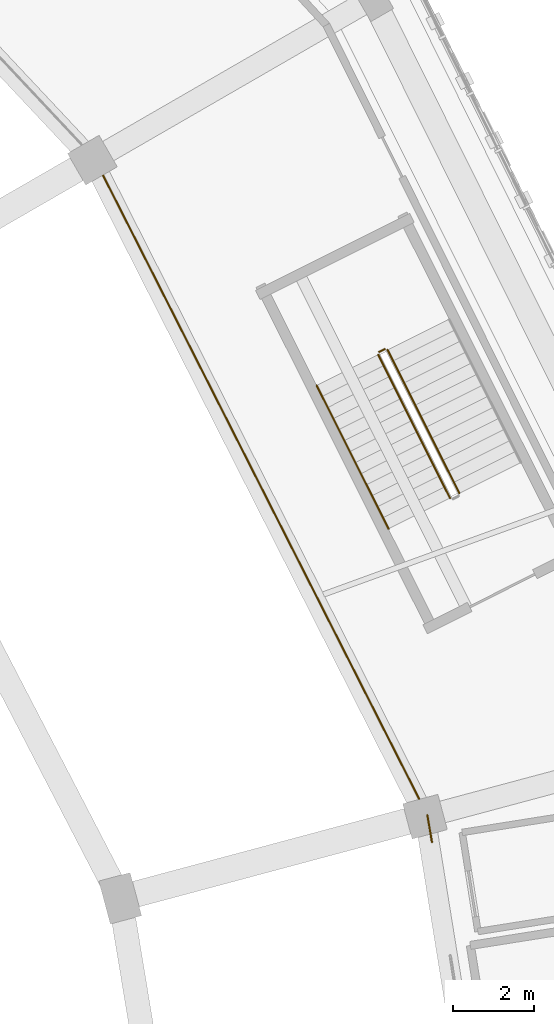
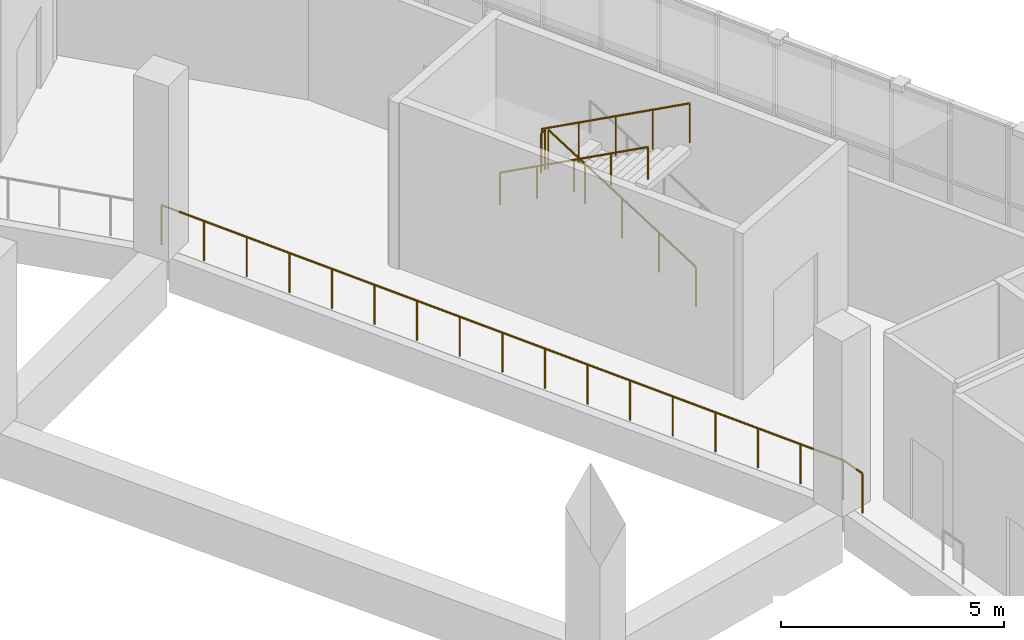
# One storey, part 94 of 108: 6 railings.
"""IFC4 building model written with IfcOpenShell, lengths in metres."""

import ifcopenshell
import ifcopenshell.guid

model = None  # the IFC model being written
_history = None  # IfcOwnerHistory: only IFC2X3 demands one
_inside = {}  # id of a spatial element -> (the spatial element, [elements in it])
_under = {}  # id of a project, library or spatial element -> (it, [spatial elements below it])
_declared = {}  # id of a project -> (the project, [libraries it declares])
_typed = {}  # id of a type object -> (the type object, [elements of that type])
_made_of = {}  # id of a material, layer set ... -> (it, [elements and type objects made of it])


def new_model(schema):
    """Start an empty IFC model of exactly this schema.

    Asked for "IFC4X3", IfcOpenShell would pick the latest addendum, in which some entities
    have other attributes; the version numbers below select the first issue.
    IFC2X3 requires an IfcOwnerHistory on every rooted entity: one is made here for all.
    """
    global model, _history
    if schema == "IFC4X3":
        model = ifcopenshell.file(schema_version=(4, 3, 0, 0))
    else:
        model = ifcopenshell.file(schema=schema)
    _inside.clear()
    _under.clear()
    _declared.clear()
    _typed.clear()
    _made_of.clear()
    _history = None
    if model.schema == "IFC2X3":
        org = make("IfcOrganization", Name="unknown")
        user = make(
            "IfcPersonAndOrganization",
            ThePerson=make("IfcPerson", FamilyName="unknown"),
            TheOrganization=org,
        )
        app = make(
            "IfcApplication",
            ApplicationDeveloper=org,
            Version="unknown",
            ApplicationFullName="unknown",
            ApplicationIdentifier="unknown",
        )
        _history = make(
            "IfcOwnerHistory",
            OwningUser=user,
            OwningApplication=app,
            ChangeAction="ADDED",
            CreationDate=0,
        )
    return model


def make(cls, **values):
    """One entity of the class cls with the attributes given. An attribute that is None is left unset."""
    return model.create_entity(
        cls, **{name: value for name, value in values.items() if value is not None}
    )


def rooted(cls, **values):
    """An entity with a GlobalId (a new one), such as an element, a storey or a relation."""
    return make(cls, GlobalId=ifcopenshell.guid.new(), OwnerHistory=_history, **values)


def si_unit(unit_type, name, prefix=None):
    """IfcSIUnit, for example si_unit("LENGTHUNIT", "METRE", prefix="MILLI")."""
    return make("IfcSIUnit", UnitType=unit_type, Prefix=prefix, Name=name)


def assignment(units):
    """IfcUnitAssignment: the units of a project."""
    return None if units is None else make("IfcUnitAssignment", Units=units)


def point(xyz):
    """IfcCartesianPoint."""
    return None if xyz is None else make("IfcCartesianPoint", Coordinates=xyz)


def direction(xyz):
    """IfcDirection."""
    return None if xyz is None else make("IfcDirection", DirectionRatios=xyz)


def frame(location, z_axis=None, x_axis=None):
    """IfcAxis2Placement3D, a coordinate frame: its origin and axes. An axis left out is left unset."""
    return make(
        "IfcAxis2Placement3D",
        Location=point(location),
        Axis=direction(z_axis),
        RefDirection=direction(x_axis),
    )


def frame_2d(location, x_axis=None):
    """IfcAxis2Placement2D, a coordinate frame in the plane: its origin and x axis."""
    return make(
        "IfcAxis2Placement2D", Location=point(location), RefDirection=direction(x_axis)
    )


def origin():
    """The frame at (0, 0, 0) with its axes left unset."""
    return frame((0.0, 0.0, 0.0))


def origin_2d():
    """The frame at (0, 0) in the plane with its x axis left unset."""
    return frame_2d((0.0, 0.0))


def place(relative_to, where):
    """IfcLocalPlacement: puts the frame where relative to a parent placement (None: the world)."""
    return make(
        "IfcLocalPlacement", PlacementRelTo=relative_to, RelativePlacement=where
    )


def context(
    kind, dimensions, precision=None, world=None, true_north=None, identifier=None
):
    """IfcGeometricRepresentationContext, for example the 3D "Model" context."""
    return make(
        "IfcGeometricRepresentationContext",
        ContextIdentifier=identifier,
        ContextType=kind,
        CoordinateSpaceDimension=dimensions,
        Precision=precision,
        WorldCoordinateSystem=world,
        TrueNorth=true_north,
    )


def subcontext(parent, identifier, kind, view, scale=None):
    """IfcGeometricRepresentationSubContext, for example "Body" below "Model"."""
    return make(
        "IfcGeometricRepresentationSubContext",
        ContextIdentifier=identifier,
        ContextType=kind,
        ParentContext=parent,
        TargetScale=scale,
        TargetView=view,
    )


def project(units=None, contexts=None):
    """IfcProject with its units and contexts."""
    return rooted(
        "IfcProject",
        Name="project",
        RepresentationContexts=contexts,
        UnitsInContext=assignment(units),
    )


def spatial(cls, under=None, at=None, **own):
    """A site, building, storey or space (cls), placed at a placement, below another one or the project."""
    s = rooted(cls, ObjectPlacement=at, **own)
    if under is not None:
        _under.setdefault(under.id(), (under, []))[1].append(s)
    return s


def profile(cls, at=None, kind="AREA", **sizes):
    """A parametric profile (cls). Its sizes go by their IFC names, for example OverallWidth=200.0."""
    return make(cls, ProfileType=kind, Position=at, **sizes)


def circle(**sizes):
    """IfcCircleProfileDef."""
    return profile("IfcCircleProfileDef", **sizes)


def extrude(swept, where, along, depth):
    """IfcExtrudedAreaSolid: the profile swept, set in the frame where, extruded along a direction by depth."""
    return make(
        "IfcExtrudedAreaSolid",
        SweptArea=swept,
        Position=where,
        ExtrudedDirection=direction(along),
        Depth=depth,
    )


def shape(context_of_items, identifier, shape_type, items):
    """IfcShapeRepresentation: the items that make up one representation, for example the "Body"."""
    return make(
        "IfcShapeRepresentation",
        ContextOfItems=context_of_items,
        RepresentationIdentifier=identifier,
        RepresentationType=shape_type,
        Items=items,
    )


def material(Name=None, Category=None):
    """IfcMaterial."""
    return make("IfcMaterial", Name=Name, Category=Category)


def made_of(thing, what):
    """Note that an element or type object is made of a material, layer set ...; save() writes the relation."""
    if what is not None:
        _made_of.setdefault(what.id(), (what, []))[1].append(thing)
    return thing


def type_object(cls, material=None, **own):
    """A type object (cls), such as IfcWallType, which elements share."""
    return made_of(rooted(cls, **own), material)


def element(
    cls,
    number,
    at=None,
    inside=None,
    cuts=None,
    type_object=None,
    material=None,
    context=None,
    identifier="Body",
    shape_type=None,
    held_by="IfcProductDefinitionShape",
    body=None,
    shapes=None,
    **own,
):
    """One element of the class cls, such as IfcWall. Its Tag is "e" and its number.

    at: its placement. inside: the storey or other place that contains it. cuts: it is an
    opening in that element (IfcRelVoidsElement). A single representation is given by context,
    identifier, shape_type and body (its items); several are given by shapes. held_by: the class
    of the entity that holds the representations. save() writes the other relations.
    """
    e = rooted(cls, Tag="e%d" % number, ObjectPlacement=at, **own)
    if body is not None:
        shapes = [shape(context, identifier, shape_type, body)]
    if shapes is not None:
        e.Representation = make(held_by, Representations=shapes)
    if inside is not None:
        _inside.setdefault(inside.id(), (inside, []))[1].append(e)
    if cuts is not None:
        rooted(
            "IfcRelVoidsElement", RelatingBuildingElement=cuts, RelatedOpeningElement=e
        )
    if type_object is not None:
        _typed.setdefault(type_object.id(), (type_object, []))[1].append(e)
    return made_of(e, material)


def aggregate(whole, parts):
    """IfcRelAggregates: a whole, such as a stair, and the parts it consists of."""
    return rooted("IfcRelAggregates", RelatingObject=whole, RelatedObjects=parts)


def save(model, path):
    """Write the relations noted so far, then the file.

    IfcRelAggregates (storeys below a building ...), IfcRelContainedInSpatialStructure (elements
    in a storey), IfcRelDefinesByType, IfcRelAssociatesMaterial and IfcRelDeclares: one each for
    every whole, place, type object, material and project.
    """
    for whole, parts in _under.values():
        aggregate(whole, parts)
    for where, things in _inside.values():
        rooted(
            "IfcRelContainedInSpatialStructure",
            RelatedElements=things,
            RelatingStructure=where,
        )
    for kind, things in _typed.values():
        rooted("IfcRelDefinesByType", RelatedObjects=things, RelatingType=kind)
    for what, things in _made_of.values():
        rooted("IfcRelAssociatesMaterial", RelatedObjects=things, RelatingMaterial=what)
    for by, libraries in _declared.values():
        rooted("IfcRelDeclares", RelatingContext=by, RelatedDefinitions=libraries)
    model.write(path)


model = new_model("IFC4")

# Units and contexts
model_context = context("Model", 3, precision=1e-05, world=origin(), true_north=direction((0.0, 1.0)))
body_context = subcontext(model_context, "Body", "Model", "MODEL_VIEW")
ifc_project = project(units=[si_unit("LENGTHUNIT", "METRE"), si_unit("AREAUNIT", "SQUARE_METRE"), si_unit("VOLUMEUNIT", "CUBIC_METRE"), si_unit("PLANEANGLEUNIT", "RADIAN"), si_unit("MASSUNIT", "GRAM", prefix="KILO")], contexts=[model_context])

# Site, building, storey
site_placement = place(None, origin())
site = spatial("IfcSite", under=ifc_project, at=site_placement, CompositionType="ELEMENT")
building_placement = place(site_placement, origin())
building = spatial("IfcBuilding", under=site, at=building_placement, Name="Zevraka Park Crest Stadium", CompositionType="ELEMENT")
storey_placement = place(building_placement, frame((0.0, 0.0, 19.800048828125)))
storey = spatial("IfcBuildingStorey", under=building, at=storey_placement, Name="L04", CompositionType="ELEMENT", Elevation=19.800048828125)

# Railings
ifc_material_1 = material(Name="Galvanised and bronze-finished steel balustrade", Category="steel")
railing_type_1 = type_object("IfcRailingType", Name="GR01", PredefinedType="GUARDRAIL", material=ifc_material_1)
railing_1_placement = place(storey_placement, frame((191.66796875, 108.79296875, 0.0)))
element("IfcRailing", 1, at=railing_1_placement, inside=storey, type_object=railing_type_1, Name="Deck Edge Protection Guardrail GR01 L04-37", PredefinedType="GUARDRAIL", context=body_context, shape_type="SweptSolid", body=[
    extrude(circle(Radius=0.02392578125, at=origin_2d()), frame((0.0, 0.0, 1.076171875), z_axis=(-0.168733154705, 0.985661768815, 0.0), x_axis=(-0.985661768815, -0.168733154705, 0.0)), (0.0, 0.0, 1.0), 0.67578125),
    extrude(circle(Radius=0.02099609375, at=origin_2d()), origin(), (0.0, 0.0, 1.0), 1.052001953125),
    extrude(circle(Radius=0.02099609375, at=origin_2d()), frame((-0.114013671875, 0.666015625, 0.0)), (0.0, 0.0, 1.0), 1.052001953125),
])
railing_2_placement = place(storey_placement, frame((191.553955078125, 109.458984375, 0.0)))
element("IfcRailing", 2, at=railing_2_placement, inside=storey, type_object=railing_type_1, Name="Deck Edge Protection Guardrail GR01 L04-38", PredefinedType="GUARDRAIL", context=body_context, shape_type="SweptSolid", body=[
    extrude(circle(Radius=0.02392578125, at=origin_2d()), frame((0.0, 0.0, 1.076171875), z_axis=(-0.452139714664, 0.891947127594, 0.0), x_axis=(-0.891947127594, -0.452139714664, 0.0)), (0.0, 0.0, 1.0), 18.213134765625),
    extrude(circle(Radius=0.02099609375, at=origin_2d()), origin(), (0.0, 0.0, 1.0), 1.052001953125),
    extrude(circle(Radius=0.02099609375, at=origin_2d()), frame((-0.5146484375, 1.015380859375, 0.0)), (0.0, 0.0, 1.0), 1.052001953125),
    extrude(circle(Radius=0.02099609375, at=origin_2d()), frame((-1.029296875, 2.03076171875, 0.0)), (0.0, 0.0, 1.0), 1.052001953125),
    extrude(circle(Radius=0.02099609375, at=origin_2d()), frame((-1.5439453125, 3.0458984375, 0.0)), (0.0, 0.0, 1.0), 1.052001953125),
    extrude(circle(Radius=0.02099609375, at=origin_2d()), frame((-2.05859375, 4.061279296875, 0.0)), (0.0, 0.0, 1.0), 1.052001953125),
    extrude(circle(Radius=0.02099609375, at=origin_2d()), frame((-2.573486328125, 5.07666015625, 0.0)), (0.0, 0.0, 1.0), 1.052001953125),
    extrude(circle(Radius=0.02099609375, at=origin_2d()), frame((-3.088134765625, 6.091796875, 0.0)), (0.0, 0.0, 1.0), 1.052001953125),
    extrude(circle(Radius=0.02099609375, at=origin_2d()), frame((-3.602783203125, 7.107177734375, 0.0)), (0.0, 0.0, 1.0), 1.052001953125),
    extrude(circle(Radius=0.02099609375, at=origin_2d()), frame((-4.117431640625, 8.12255859375, 0.0)), (0.0, 0.0, 1.0), 1.052001953125),
    extrude(circle(Radius=0.02099609375, at=origin_2d()), frame((-4.632080078125, 9.137939453125, 0.0)), (0.0, 0.0, 1.0), 1.052001953125),
    extrude(circle(Radius=0.02099609375, at=origin_2d()), frame((-5.146728515625, 10.1533203125, 0.0)), (0.0, 0.0, 1.0), 1.052001953125),
    extrude(circle(Radius=0.02099609375, at=origin_2d()), frame((-5.661376953125, 11.16845703125, 0.0)), (0.0, 0.0, 1.0), 1.052001953125),
    extrude(circle(Radius=0.02099609375, at=origin_2d()), frame((-6.17626953125, 12.183837890625, 0.0)), (0.0, 0.0, 1.0), 1.052001953125),
    extrude(circle(Radius=0.02099609375, at=origin_2d()), frame((-6.69091796875, 13.19921875, 0.0)), (0.0, 0.0, 1.0), 1.052001953125),
    extrude(circle(Radius=0.02099609375, at=origin_2d()), frame((-7.20556640625, 14.21435546875, 0.0)), (0.0, 0.0, 1.0), 1.052001953125),
    extrude(circle(Radius=0.02099609375, at=origin_2d()), frame((-7.72021484375, 15.229736328125, 0.0)), (0.0, 0.0, 1.0), 1.052001953125),
    extrude(circle(Radius=0.02099609375, at=origin_2d()), frame((-8.23486328125, 16.2451171875, 0.0)), (0.0, 0.0, 1.0), 1.052001953125),
])
ifc_material_2 = material(Name="Powder-coated tubular steel stairwell guard", Category="steel")
railing_type_2 = type_object("IfcRailingType", Name="GR03", PredefinedType="GUARDRAIL", material=ifc_material_2)
railing_3_placement = place(storey_placement, frame((192.3466796875, 117.413330078125, 0.17138671875)))
element("IfcRailing", 3, at=railing_3_placement, inside=storey, type_object=railing_type_2, Name="L04 ST02 stair guard 1", PredefinedType="GUARDRAIL", context=body_context, shape_type="SweptSolid", body=[
    extrude(circle(Radius=0.02392578125, at=origin_2d()), frame((0.0, 0.0, 1.076171875), z_axis=(-0.390499471061, 0.779388635026, 0.489962772763), x_axis=(-0.894057440576, -0.447952333346, 0.0)), (0.0, 0.0, 1.0), 4.54833984375),
    extrude(circle(Radius=0.02099609375, at=origin_2d()), origin(), (0.0, 0.0, 1.0), 1.052001953125),
    extrude(circle(Radius=0.02099609375, at=origin_2d()), frame((-0.444091796875, 0.88623046875, 0.55712890625)), (0.0, 0.0, 1.0), 1.052001953125),
    extrude(circle(Radius=0.02099609375, at=origin_2d()), frame((-0.88818359375, 1.7724609375, 1.1142578125)), (0.0, 0.0, 1.0), 1.052001953125),
    extrude(circle(Radius=0.02099609375, at=origin_2d()), frame((-1.33203125, 2.65869140625, 1.67138671875)), (0.0, 0.0, 1.0), 1.052001953125),
    extrude(circle(Radius=0.02099609375, at=origin_2d()), frame((-1.776123046875, 3.544921875, 2.228515625)), (0.0, 0.0, 1.0), 1.052001953125),
])
railing_4_placement = place(storey_placement, frame((190.50341796875, 120.980712890625, 2.39990234375)))
element("IfcRailing", 4, at=railing_4_placement, inside=storey, type_object=railing_type_2, Name="L04 ST02 stair guard 2", PredefinedType="GUARDRAIL", context=body_context, shape_type="SweptSolid", body=[
    extrude(circle(Radius=0.02392578125, at=origin_2d()), frame((0.0, 0.0, 1.076171875), z_axis=(-0.893816245171, -0.44843340628, 0.0), x_axis=(0.44843340628, -0.893816245171, 0.0)), (0.0, 0.0, 1.0), 0.16015625),
    extrude(circle(Radius=0.02099609375, at=origin_2d()), origin(), (0.0, 0.0, 1.0), 1.052001953125),
    extrude(circle(Radius=0.02099609375, at=origin_2d()), frame((-0.14306640625, -0.07177734375, 0.0)), (0.0, 0.0, 1.0), 1.052001953125),
])
railing_5_placement = place(storey_placement, frame((190.338134765625, 120.841796875, 2.5712890625)))
element("IfcRailing", 5, at=railing_5_placement, inside=storey, type_object=railing_type_2, Name="L04 ST02 stair guard 3", PredefinedType="GUARDRAIL", context=body_context, shape_type="SweptSolid", body=[
    extrude(circle(Radius=0.02392578125, at=origin_2d()), frame((0.0, 0.0, 1.076171875), z_axis=(0.390443708506, -0.77938447175, 0.490013832135), x_axis=(0.894082100069, 0.447903112666, 0.0)), (0.0, 0.0, 1.0), 4.54833984375),
    extrude(circle(Radius=0.02099609375, at=origin_2d()), origin(), (0.0, 0.0, 1.0), 1.052001953125),
    extrude(circle(Radius=0.02099609375, at=origin_2d()), frame((0.44384765625, -0.88623046875, 0.55712890625)), (0.0, 0.0, 1.0), 1.052001953125),
    extrude(circle(Radius=0.02099609375, at=origin_2d()), frame((0.887939453125, -1.7724609375, 1.1142578125)), (0.0, 0.0, 1.0), 1.052001953125),
    extrude(circle(Radius=0.02099609375, at=origin_2d()), frame((1.33203125, -2.65869140625, 1.671630859375)), (0.0, 0.0, 1.0), 1.052001953125),
    extrude(circle(Radius=0.02099609375, at=origin_2d()), frame((1.77587890625, -3.544921875, 2.228759765625)), (0.0, 0.0, 1.0), 1.052001953125),
])
ifc_material_3 = material(Name="Brushed stainless steel continuous handrail", Category="steel")
railing_type_3 = type_object("IfcRailingType", Name="HR01", PredefinedType="HANDRAIL", material=ifc_material_3)
railing_6_placement = place(storey_placement, frame((188.818115234375, 120.080322265625, 2.5712890625)))
element("IfcRailing", 6, at=railing_6_placement, inside=storey, type_object=railing_type_3, Name="L04 ST02 stair handrail 2", PredefinedType="HANDRAIL", context=body_context, shape_type="SweptSolid", body=[
    extrude(circle(Radius=0.02392578125, at=origin_2d()), frame((0.0, 0.0, 0.8759765625), z_axis=(0.390489200891, -0.779368137037, 0.490003562191), x_axis=(0.894057440576, 0.447952333346, 0.0)), (0.0, 0.0, 1.0), 4.54833984375),
    extrude(circle(Radius=0.02099609375, at=origin_2d()), origin(), (0.0, 0.0, 1.0), 0.851806640625),
    extrude(circle(Radius=0.02099609375, at=origin_2d()), frame((0.444091796875, -0.88623046875, 0.55712890625)), (0.0, 0.0, 1.0), 0.851806640625),
    extrude(circle(Radius=0.02099609375, at=origin_2d()), frame((0.88818359375, -1.7724609375, 1.1142578125)), (0.0, 0.0, 1.0), 0.851806640625),
    extrude(circle(Radius=0.02099609375, at=origin_2d()), frame((1.33203125, -2.65869140625, 1.671630859375)), (0.0, 0.0, 1.0), 0.851806640625),
    extrude(circle(Radius=0.02099609375, at=origin_2d()), frame((1.776123046875, -3.544921875, 2.228759765625)), (0.0, 0.0, 1.0), 0.851806640625),
])

save(model, "model.ifc")
